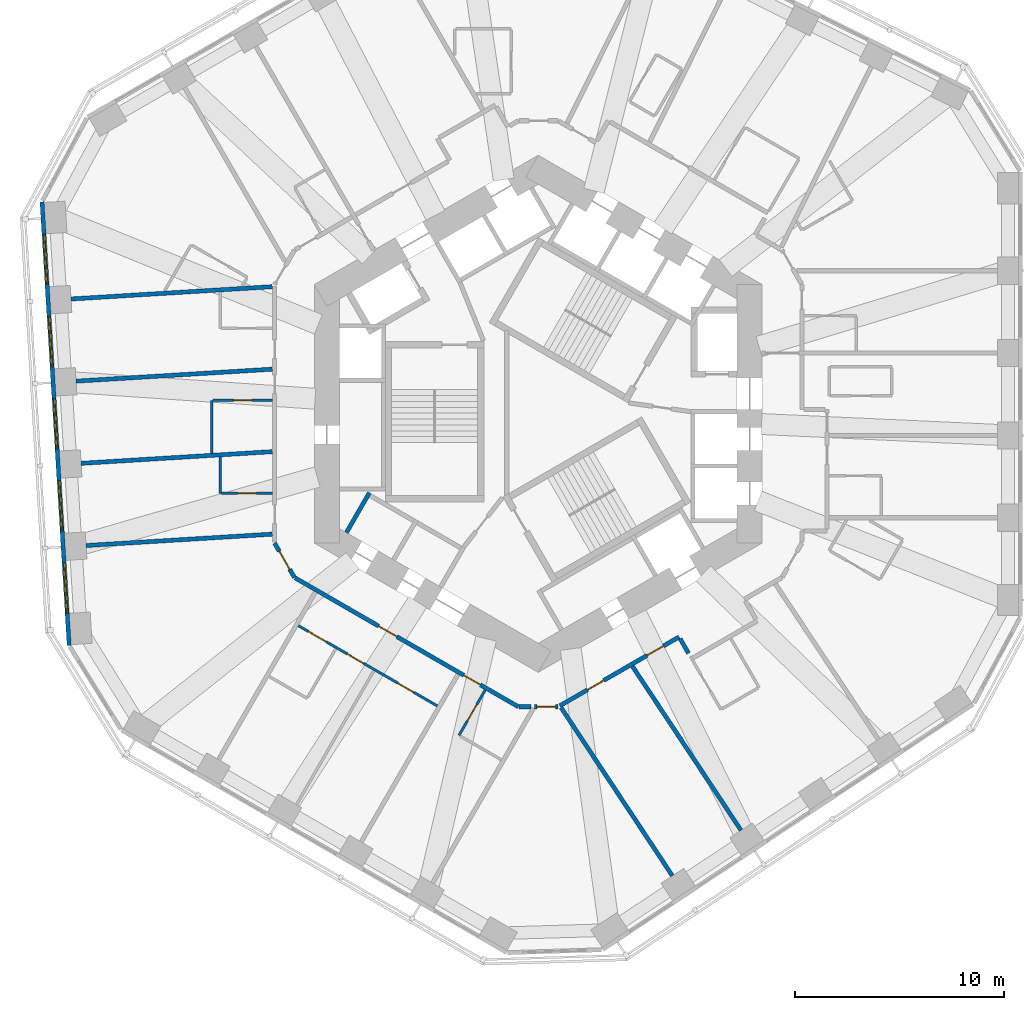
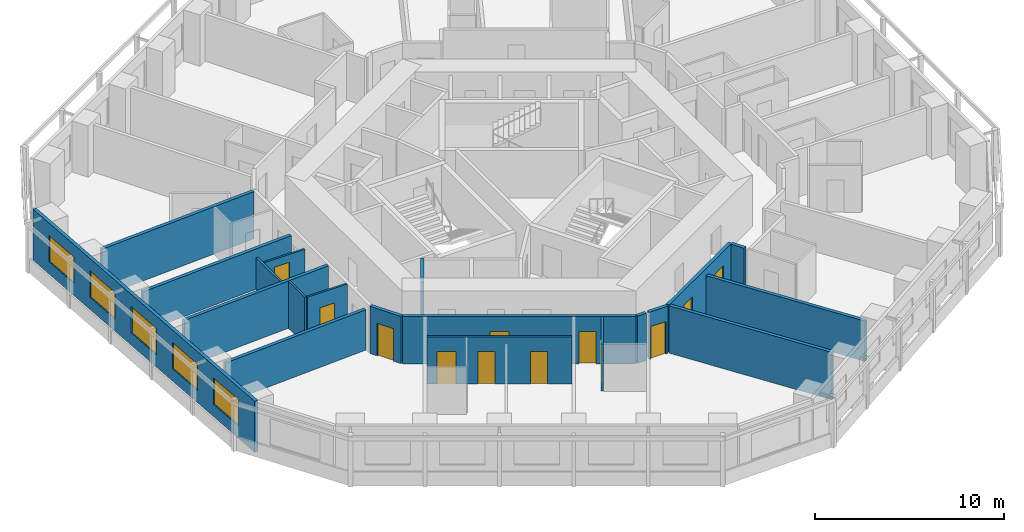
# One storey, part 4 of 12: 20 walls, 12 doors, 5 windows, 17 openings.
"""IFC4 building model written with IfcOpenShell, lengths in metres."""

from ifc_helpers import new_model, si_unit, direction, frame, frame_2d, origin, place, context, subcontext, project, spatial, rectangle, extrude, material, layer, layer_set, type_object, element, fill, save


model = new_model("IFC4")

# Units and contexts
model_context = context("Model", 3, precision=1e-05, world=origin(), true_north=direction((0.0, 1.0)))
body_context = subcontext(model_context, "Body", "Model", "MODEL_VIEW")
ifc_project = project(units=[si_unit("LENGTHUNIT", "METRE"), si_unit("AREAUNIT", "SQUARE_METRE"), si_unit("VOLUMEUNIT", "CUBIC_METRE"), si_unit("PLANEANGLEUNIT", "RADIAN"), si_unit("MASSUNIT", "GRAM", prefix="KILO")], contexts=[model_context])

# Site, building, storey
site_placement = place(None, origin())
site = spatial("IfcSite", under=ifc_project, at=site_placement, CompositionType="ELEMENT")
building_placement = place(site_placement, origin())
building = spatial("IfcBuilding", under=site, at=building_placement, Name="Vanh Sen Convention Tower", CompositionType="ELEMENT")
storey_placement = place(building_placement, frame((0.0, 0.0, 53.89990234375)))
storey = spatial("IfcBuildingStorey", under=building, at=storey_placement, Name="L10", CompositionType="ELEMENT", Elevation=53.89990234375)

# Wall
ifc_material_1 = material(Name="Moisture-resistant gypsum board on steel studs", Category="steel")
ifc_layer_1 = layer(ifc_material_1, 0.1201171875)
ifc_layer_set_1 = layer_set([ifc_layer_1], Name="Moisture-resistant gypsum board on steel studs")
wall_type_1 = type_object("IfcWallType", Name="Bathroom partition 120", PredefinedType="PARTITIONING", material=ifc_layer_set_1)
wall_1_placement = place(storey_placement, frame((-15.60009765625, -1.885986328125, 0.0), z_axis=(0.0, 0.0, 1.0), x_axis=(0.0, 1.0, 0.0)))
element("IfcWall", 1, at=wall_1_placement, inside=storey, type_object=wall_type_1, Name="Bathroom partition 120", PredefinedType="PARTITIONING", context=body_context, shape_type="SweptSolid", body=[
    extrude(rectangle(XDim=2.525390625, YDim=0.1201171875, at=frame_2d((1.2626953125, 0.0))), origin(), (0.0, 0.0, 1.0), 3.050048828125),
])

# Wall, opening, door
wall_2_placement = place(storey_placement, frame((-15.5400390625, 0.639404296875, 0.0), z_axis=(0.0, 0.0, 1.0), x_axis=(1.0, 0.0, 0.0)))
wall_2 = element("IfcWall", 2, at=wall_2_placement, inside=storey, type_object=wall_type_1, Name="Bathroom partition 120", PredefinedType="PARTITIONING", context=body_context, shape_type="SweptSolid", body=[
    extrude(rectangle(XDim=2.840087890625, YDim=0.1201171875, at=frame_2d((1.419921875, 0.0))), origin(), (0.0, 0.0, 1.0), 2.60009765625),
])
opening_1_placement = place(wall_2_placement, frame((0.969970703125, 0.0, 0.0)))
opening_1 = element("IfcOpeningElement", 3, at=opening_1_placement, cuts=wall_2, Name="Opening D10123", PredefinedType="OPENING", context=body_context, shape_type="SweptSolid", body=[
    extrude(rectangle(XDim=0.89990234375, YDim=2.10009765625, at=frame_2d((0.449951171875, 1.050048828125))), frame((0.0, 0.070068359375, 0.0), z_axis=(0.0, -1.0, 0.0), x_axis=(1.0, 0.0, 0.0)), (0.0, 0.0, 1.0), 0.14013671875),
])
ifc_material_2 = material(Name="Laminate door in steel frame", Category="steel")
door_type_1 = type_object("IfcDoorType", Name="En-suite door 900", OperationType="SINGLE_SWING_LEFT", PredefinedType="DOOR", material=ifc_material_2)
door_1_placement = place(opening_1_placement, origin())
door_1 = element("IfcDoor", 4, at=door_1_placement, inside=storey, type_object=door_type_1, Name="En-suite door D10123", OperationType="SINGLE_SWING_LEFT", OverallHeight=2.10009765625, OverallWidth=0.89990234375, PredefinedType="DOOR", context=body_context, shape_type="SweptSolid", body=[
    extrude(rectangle(XDim=0.89990234375, YDim=2.10009765625, at=frame_2d((0.449951171875, 1.050048828125))), frame((0.0, 0.02490234375, 0.0), z_axis=(0.0, -1.0, 0.0), x_axis=(1.0, 0.0, 0.0)), (0.0, 0.0, 1.0), 0.050048828125),
])
fill(opening_1, door_1)

# Wall
wall_3_placement = place(storey_placement, frame((-15.199951171875, -3.802734375, 0.0), z_axis=(0.0, 0.0, 1.0), x_axis=(0.0, 1.0, 0.0)))
element("IfcWall", 5, at=wall_3_placement, inside=storey, type_object=wall_type_1, Name="Bathroom partition 120", PredefinedType="PARTITIONING", context=body_context, shape_type="SweptSolid", body=[
    extrude(rectangle(XDim=1.740966796875, YDim=0.1201171875, at=frame_2d((0.87060546875, 0.0))), origin(), (0.0, 0.0, 1.0), 3.050048828125),
])

# Wall, opening, door
wall_4_placement = place(storey_placement, frame((-12.699951171875, -3.802734375, 0.0), z_axis=(0.0, 0.0, 1.0), x_axis=(-1.0, 0.0, 0.0)))
wall_4 = element("IfcWall", 6, at=wall_4_placement, inside=storey, type_object=wall_type_1, Name="Bathroom partition 120", PredefinedType="PARTITIONING", context=body_context, shape_type="SweptSolid", body=[
    extrude(rectangle(XDim=2.43994140625, YDim=0.1201171875, at=frame_2d((1.219970703125, 0.0))), origin(), (0.0, 0.0, 1.0), 3.050048828125),
])
opening_2_placement = place(wall_4_placement, frame((0.77001953125, 0.0, 0.0)))
opening_2 = element("IfcOpeningElement", 7, at=opening_2_placement, cuts=wall_4, Name="Opening D10125", PredefinedType="OPENING", context=body_context, shape_type="SweptSolid", body=[
    extrude(rectangle(XDim=0.89990234375, YDim=2.10009765625, at=frame_2d((0.449951171875, 1.050048828125))), frame((0.0, 0.070068359375, 0.0), z_axis=(0.0, -1.0, 0.0), x_axis=(1.0, 0.0, 0.0)), (0.0, 0.0, 1.0), 0.14013671875),
])
door_2_placement = place(opening_2_placement, origin())
door_2 = element("IfcDoor", 8, at=door_2_placement, inside=storey, type_object=door_type_1, Name="En-suite door D10125", OperationType="SINGLE_SWING_LEFT", OverallHeight=2.10009765625, OverallWidth=0.89990234375, PredefinedType="DOOR", context=body_context, shape_type="SweptSolid", body=[
    extrude(rectangle(XDim=0.89990234375, YDim=2.10009765625, at=frame_2d((0.449951171875, 1.050048828125))), frame((0.0, 0.02490234375, 0.0), z_axis=(0.0, -1.0, 0.0), x_axis=(1.0, 0.0, 0.0)), (0.0, 0.0, 1.0), 0.050048828125),
])
fill(opening_2, door_2)

# Wall, openings, doors
wall_5_placement = place(storey_placement, frame((-11.462890625, -10.125, 0.0), z_axis=(0.0, 0.0, 1.0), x_axis=(0.866014882148, -0.500018223566, 0.0)))
wall_5 = element("IfcWall", 9, at=wall_5_placement, inside=storey, type_object=wall_type_1, Name="Bathroom partition 120", PredefinedType="PARTITIONING", context=body_context, shape_type="SweptSolid", body=[
    extrude(rectangle(XDim=7.669189453125, YDim=0.1201171875, at=frame_2d((3.83447265625, 0.0))), origin(), (0.0, 0.0, 1.0), 3.050048828125),
])
opening_3_placement = place(wall_5_placement, frame((0.550048828125, 0.0, 0.0)))
opening_3 = element("IfcOpeningElement", 10, at=opening_3_placement, cuts=wall_5, Name="Opening D10128", PredefinedType="OPENING", context=body_context, shape_type="SweptSolid", body=[
    extrude(rectangle(XDim=1.0, YDim=2.10009765625, at=frame_2d((0.5, 1.050048828125))), frame((0.0, 0.070068359375, 0.0), z_axis=(0.0, -1.0, 0.0), x_axis=(1.0, 0.0, 0.0)), (0.0, 0.0, 1.0), 0.14013671875),
])
opening_4_placement = place(wall_5_placement, frame((2.7001953125, 0.0, 0.0)))
opening_4 = element("IfcOpeningElement", 11, at=opening_4_placement, cuts=wall_5, Name="Opening D10129", PredefinedType="OPENING", context=body_context, shape_type="SweptSolid", body=[
    extrude(rectangle(XDim=0.89990234375, YDim=2.10009765625, at=frame_2d((0.449951171875, 1.050048828125))), frame((0.0, 0.070068359375, 0.0), z_axis=(0.0, -1.0, 0.0), x_axis=(1.0, 0.0, 0.0)), (0.0, 0.0, 1.0), 0.14013671875),
])
opening_5_placement = place(wall_5_placement, frame((5.484619140625, 0.0, 0.0)))
opening_5 = element("IfcOpeningElement", 12, at=opening_5_placement, cuts=wall_5, Name="Opening D10130", PredefinedType="OPENING", context=body_context, shape_type="SweptSolid", body=[
    extrude(rectangle(XDim=0.89990234375, YDim=2.10009765625, at=frame_2d((0.449951171875, 1.050048828125))), frame((0.0, 0.070068359375, 0.0), z_axis=(0.0, -1.0, 0.0), x_axis=(1.0, 0.0, 0.0)), (0.0, 0.0, 1.0), 0.14013671875),
])
door_type_2 = type_object("IfcDoorType", Name="Accessible WC door 1000", OperationType="SINGLE_SWING_LEFT", PredefinedType="DOOR", material=ifc_material_2)
door_3_placement = place(opening_3_placement, origin())
door_3 = element("IfcDoor", 13, at=door_3_placement, inside=storey, type_object=door_type_2, Name="Accessible WC door D10128", OperationType="SINGLE_SWING_LEFT", OverallHeight=2.10009765625, OverallWidth=1.0, PredefinedType="DOOR", context=body_context, shape_type="SweptSolid", body=[
    extrude(rectangle(XDim=1.0, YDim=2.10009765625, at=frame_2d((0.5, 1.050048828125))), frame((0.0, 0.02490234375, 0.0), z_axis=(0.0, -1.0, 0.0), x_axis=(1.0, 0.0, 0.0)), (0.0, 0.0, 1.0), 0.050048828125),
])
fill(opening_3, door_3)
door_type_3 = type_object("IfcDoorType", Name="Room internal door 900", OperationType="SINGLE_SWING_LEFT", PredefinedType="DOOR", material=ifc_material_2)
door_4_placement = place(opening_4_placement, origin())
door_4 = element("IfcDoor", 14, at=door_4_placement, inside=storey, type_object=door_type_3, Name="Internal room door D10129", OperationType="SINGLE_SWING_LEFT", OverallHeight=2.10009765625, OverallWidth=0.89990234375, PredefinedType="DOOR", context=body_context, shape_type="SweptSolid", body=[
    extrude(rectangle(XDim=0.89990234375, YDim=2.10009765625, at=frame_2d((0.449951171875, 1.050048828125))), frame((0.0, 0.02490234375, 0.0), z_axis=(0.0, -1.0, 0.0), x_axis=(1.0, 0.0, 0.0)), (0.0, 0.0, 1.0), 0.050048828125),
])
fill(opening_4, door_4)
door_5_placement = place(opening_5_placement, origin())
door_5 = element("IfcDoor", 15, at=door_5_placement, inside=storey, type_object=door_type_3, Name="Internal room door D10130", OperationType="SINGLE_SWING_LEFT", OverallHeight=2.10009765625, OverallWidth=0.89990234375, PredefinedType="DOOR", context=body_context, shape_type="SweptSolid", body=[
    extrude(rectangle(XDim=0.89990234375, YDim=2.10009765625, at=frame_2d((0.449951171875, 1.050048828125))), frame((0.0, 0.02490234375, 0.0), z_axis=(0.0, -1.0, 0.0), x_axis=(1.0, 0.0, 0.0)), (0.0, 0.0, 1.0), 0.050048828125),
])
fill(opening_5, door_5)

# Wall, opening, door
wall_6_placement = place(storey_placement, frame((-3.78564453125, -15.36572265625, 0.0), z_axis=(0.0, 0.0, 1.0), x_axis=(0.500004234368, 0.866022959057, 0.0)))
wall_6 = element("IfcWall", 16, at=wall_6_placement, inside=storey, type_object=wall_type_1, Name="Bathroom partition 120", PredefinedType="PARTITIONING", context=body_context, shape_type="SweptSolid", body=[
    extrude(rectangle(XDim=2.5, YDim=0.1201171875, at=frame_2d((1.25, 0.0))), origin(), (0.0, 0.0, 1.0), 3.050048828125),
])
opening_6_placement = place(wall_6_placement, frame((0.800048828125, 0.0, 0.0)))
opening_6 = element("IfcOpeningElement", 17, at=opening_6_placement, cuts=wall_6, Name="Opening D10132", PredefinedType="OPENING", context=body_context, shape_type="SweptSolid", body=[
    extrude(rectangle(XDim=0.89990234375, YDim=2.10009765625, at=frame_2d((0.449951171875, 1.050048828125))), frame((0.0, 0.070068359375, 0.0), z_axis=(0.0, -1.0, 0.0), x_axis=(1.0, 0.0, 0.0)), (0.0, 0.0, 1.0), 0.14013671875),
])
door_6_placement = place(opening_6_placement, origin())
door_6 = element("IfcDoor", 18, at=door_6_placement, inside=storey, type_object=door_type_1, Name="En-suite door D10132", OperationType="SINGLE_SWING_LEFT", OverallHeight=2.10009765625, OverallWidth=0.89990234375, PredefinedType="DOOR", context=body_context, shape_type="SweptSolid", body=[
    extrude(rectangle(XDim=0.89990234375, YDim=2.10009765625, at=frame_2d((0.449951171875, 1.050048828125))), frame((0.0, 0.02490234375, 0.0), z_axis=(0.0, -1.0, 0.0), x_axis=(1.0, 0.0, 0.0)), (0.0, 0.0, 1.0), 0.050048828125),
])
fill(opening_6, door_6)

ifc_material_3 = material(Name="Gypsum board on steel studs with mineral wool", Category="steel")
ifc_layer_2 = layer(ifc_material_3, 0.199951171875)
ifc_layer_set_2 = layer_set([ifc_layer_2], Name="Gypsum board on steel studs with mineral wool")
wall_type_2 = type_object("IfcWallType", Name="Corridor partition wall 200", PredefinedType="PARTITIONING", material=ifc_layer_set_2)
wall_7_placement = place(storey_placement, frame((-12.60009765625, -6.177490234375, 0.0), z_axis=(0.0, 0.0, 1.0), x_axis=(0.500063520245, -0.865988727248, 0.0)))
wall_7 = element("IfcWall", 19, at=wall_7_placement, inside=storey, type_object=wall_type_2, Name="Corridor partition wall 200", PredefinedType="PARTITIONING", context=body_context, shape_type="SweptSolid", body=[
    extrude(rectangle(XDim=1.900146484375, YDim=0.199951171875, at=frame_2d((0.9501953125, 0.0))), origin(), (0.0, 0.0, 1.0), 3.050048828125),
])
opening_7_placement = place(wall_7_placement, frame((0.449951171875, 0.0, 0.0)))
opening_7 = element("IfcOpeningElement", 20, at=opening_7_placement, cuts=wall_7, Name="Opening D10126", PredefinedType="OPENING", context=body_context, shape_type="SweptSolid", body=[
    extrude(rectangle(XDim=1.0, YDim=2.10009765625, at=frame_2d((0.5, 1.050048828125))), frame((0.0, 0.10986328125, 0.0), z_axis=(0.0, -1.0, 0.0), x_axis=(1.0, 0.0, 0.0)), (0.0, 0.0, 1.0), 0.219970703125),
])
ifc_material_4 = material(Name="Timber fire door in steel frame", Category="steel")
door_type_4 = type_object("IfcDoorType", Name="Floor room door 1000", OperationType="SINGLE_SWING_LEFT", PredefinedType="DOOR", material=ifc_material_4)
door_7_placement = place(opening_7_placement, origin())
door_7 = element("IfcDoor", 21, at=door_7_placement, inside=storey, type_object=door_type_4, Name="Meeting and amenity room door D10126", OperationType="SINGLE_SWING_LEFT", OverallHeight=2.10009765625, OverallWidth=1.0, PredefinedType="DOOR", context=body_context, shape_type="SweptSolid", body=[
    extrude(rectangle(XDim=1.0, YDim=2.10009765625, at=frame_2d((0.5, 1.050048828125))), frame((0.0, 0.02490234375, 0.0), z_axis=(0.0, -1.0, 0.0), x_axis=(1.0, 0.0, 0.0)), (0.0, 0.0, 1.0), 0.050048828125),
])
fill(opening_7, door_7)

# Wall, openings, doors
wall_8_placement = place(storey_placement, frame((-11.615478515625, -7.843017578125, 0.0), z_axis=(0.0, 0.0, 1.0), x_axis=(0.866026466995, -0.499998158461, 0.0)))
wall_8 = element("IfcWall", 22, at=wall_8_placement, inside=storey, type_object=wall_type_2, Name="Corridor partition wall 200", PredefinedType="PARTITIONING", context=body_context, shape_type="SweptSolid", body=[
    extrude(rectangle(XDim=12.3154296875, YDim=0.199951171875, at=frame_2d((6.15771484375, 0.0))), origin(), (0.0, 0.0, 1.0), 3.050048828125),
])
opening_8_placement = place(wall_8_placement, frame((4.607666015625, 0.0, 0.0)))
opening_8 = element("IfcOpeningElement", 23, at=opening_8_placement, cuts=wall_8, Name="Opening D10127", PredefinedType="OPENING", context=body_context, shape_type="SweptSolid", body=[
    extrude(rectangle(XDim=1.0, YDim=2.10009765625, at=frame_2d((0.5, 1.050048828125))), frame((0.0, 0.10986328125, 0.0), z_axis=(0.0, -1.0, 0.0), x_axis=(1.0, 0.0, 0.0)), (0.0, 0.0, 1.0), 0.219970703125),
])
opening_9_placement = place(wall_8_placement, frame((9.317138671875, 0.0, 0.0)))
opening_9 = element("IfcOpeningElement", 24, at=opening_9_placement, cuts=wall_8, Name="Opening D10131", PredefinedType="OPENING", context=body_context, shape_type="SweptSolid", body=[
    extrude(rectangle(XDim=0.89990234375, YDim=2.10009765625, at=frame_2d((0.449951171875, 1.050048828125))), frame((0.0, 0.10986328125, 0.0), z_axis=(0.0, -1.0, 0.0), x_axis=(1.0, 0.0, 0.0)), (0.0, 0.0, 1.0), 0.219970703125),
])
door_8_placement = place(opening_8_placement, origin())
door_8 = element("IfcDoor", 25, at=door_8_placement, inside=storey, type_object=door_type_4, Name="Meeting and amenity room door D10127", OperationType="SINGLE_SWING_LEFT", OverallHeight=2.10009765625, OverallWidth=1.0, PredefinedType="DOOR", context=body_context, shape_type="SweptSolid", body=[
    extrude(rectangle(XDim=1.0, YDim=2.10009765625, at=frame_2d((0.5, 1.050048828125))), frame((0.0, 0.02490234375, 0.0), z_axis=(0.0, -1.0, 0.0), x_axis=(1.0, 0.0, 0.0)), (0.0, 0.0, 1.0), 0.050048828125),
])
fill(opening_8, door_8)
door_type_5 = type_object("IfcDoorType", Name="Guest room door 900", OperationType="SINGLE_SWING_LEFT", PredefinedType="DOOR", material=ifc_material_4)
door_9_placement = place(opening_9_placement, origin())
door_9 = element("IfcDoor", 26, at=door_9_placement, inside=storey, type_object=door_type_5, Name="Hotel guest room door D10131", OperationType="SINGLE_SWING_LEFT", OverallHeight=2.10009765625, OverallWidth=0.89990234375, PredefinedType="DOOR", context=body_context, shape_type="SweptSolid", body=[
    extrude(rectangle(XDim=0.89990234375, YDim=2.10009765625, at=frame_2d((0.449951171875, 1.050048828125))), frame((0.0, 0.02490234375, 0.0), z_axis=(0.0, -1.0, 0.0), x_axis=(1.0, 0.0, 0.0)), (0.0, 0.0, 1.0), 0.050048828125),
])
fill(opening_9, door_9)

# Wall
wall_9_placement = place(storey_placement, frame((-0.909912109375, -14.000732421875, 0.0), z_axis=(0.0, 0.0, 1.0), x_axis=(1.0, 0.0, 0.0)))
element("IfcWall", 27, at=wall_9_placement, inside=storey, type_object=wall_type_2, Name="Corridor partition wall 200", PredefinedType="PARTITIONING", context=body_context, shape_type="SweptSolid", body=[
    extrude(rectangle(XDim=0.559814453125, YDim=0.199951171875, at=frame_2d((0.27978515625, 0.0))), origin(), (0.0, 0.0, 1.0), 3.050048828125),
])

# Wall, opening, door
wall_10_placement = place(storey_placement, frame((-0.186279296875, -14.000732421875, 0.0), z_axis=(0.0, 0.0, 1.0), x_axis=(1.0, 0.0, 0.0)))
wall_10 = element("IfcWall", 28, at=wall_10_placement, inside=storey, type_object=wall_type_2, Name="Corridor partition wall 200", PredefinedType="PARTITIONING", context=body_context, shape_type="SweptSolid", body=[
    extrude(rectangle(XDim=1.13623046875, YDim=0.199951171875, at=frame_2d((0.568115234375, 0.0))), origin(), (0.0, 0.0, 1.0), 3.050048828125),
])
opening_10_placement = place(wall_10_placement, frame((0.1181640625, 0.0, 0.0)))
opening_10 = element("IfcOpeningElement", 29, at=opening_10_placement, cuts=wall_10, Name="Opening D10133", PredefinedType="OPENING", context=body_context, shape_type="SweptSolid", body=[
    extrude(rectangle(XDim=0.89990234375, YDim=2.10009765625, at=frame_2d((0.449951171875, 1.050048828125))), frame((0.0, 0.10986328125, 0.0), z_axis=(0.0, -1.0, 0.0), x_axis=(1.0, 0.0, 0.0)), (0.0, 0.0, 1.0), 0.219970703125),
])
door_type_6 = type_object("IfcDoorType", Name="Floor room door 900", OperationType="SINGLE_SWING_LEFT", PredefinedType="DOOR", material=ifc_material_4)
door_10_placement = place(opening_10_placement, origin())
door_10 = element("IfcDoor", 30, at=door_10_placement, inside=storey, type_object=door_type_6, Name="Meeting and amenity room door D10133", OperationType="SINGLE_SWING_LEFT", OverallHeight=2.10009765625, OverallWidth=0.89990234375, PredefinedType="DOOR", context=body_context, shape_type="SweptSolid", body=[
    extrude(rectangle(XDim=0.89990234375, YDim=2.10009765625, at=frame_2d((0.449951171875, 1.050048828125))), frame((0.0, 0.02490234375, 0.0), z_axis=(0.0, -1.0, 0.0), x_axis=(1.0, 0.0, 0.0)), (0.0, 0.0, 1.0), 0.050048828125),
])
fill(opening_10, door_10)

# Wall, openings, doors
wall_11_placement = place(storey_placement, frame((1.033447265625, -13.95263671875, 0.0), z_axis=(0.0, 0.0, 1.0), x_axis=(0.866017531406, 0.500013635111, 0.0)))
wall_11 = element("IfcWall", 31, at=wall_11_placement, inside=storey, type_object=wall_type_2, Name="Corridor partition wall 200", PredefinedType="PARTITIONING", context=body_context, shape_type="SweptSolid", body=[
    extrude(rectangle(XDim=6.580322265625, YDim=0.199951171875, at=frame_2d((3.2900390625, 0.0))), origin(), (0.0, 0.0, 1.0), 3.050048828125),
])
opening_11_placement = place(wall_11_placement, frame((1.52099609375, 0.0, 0.0)))
opening_11 = element("IfcOpeningElement", 32, at=opening_11_placement, cuts=wall_11, Name="Opening D10134", PredefinedType="OPENING", context=body_context, shape_type="SweptSolid", body=[
    extrude(rectangle(XDim=0.89990234375, YDim=2.10009765625, at=frame_2d((0.449951171875, 1.050048828125))), frame((0.0, 0.10986328125, 0.0), z_axis=(0.0, -1.0, 0.0), x_axis=(1.0, 0.0, 0.0)), (0.0, 0.0, 1.0), 0.219970703125),
])
opening_12_placement = place(wall_11_placement, frame((4.81103515625, 0.0, 0.0)))
opening_12 = element("IfcOpeningElement", 33, at=opening_12_placement, cuts=wall_11, Name="Opening D10135", PredefinedType="OPENING", context=body_context, shape_type="SweptSolid", body=[
    extrude(rectangle(XDim=0.89990234375, YDim=2.10009765625, at=frame_2d((0.449951171875, 1.050048828125))), frame((0.0, 0.10986328125, 0.0), z_axis=(0.0, -1.0, 0.0), x_axis=(1.0, 0.0, 0.0)), (0.0, 0.0, 1.0), 0.219970703125),
])
door_type_7 = type_object("IfcDoorType", Name="Floor service door 900", OperationType="SINGLE_SWING_LEFT", PredefinedType="DOOR", material=ifc_material_4)
door_11_placement = place(opening_11_placement, origin())
door_11 = element("IfcDoor", 34, at=door_11_placement, inside=storey, type_object=door_type_7, Name="Service room door D10134", OperationType="SINGLE_SWING_LEFT", OverallHeight=2.10009765625, OverallWidth=0.89990234375, PredefinedType="DOOR", context=body_context, shape_type="SweptSolid", body=[
    extrude(rectangle(XDim=0.89990234375, YDim=2.10009765625, at=frame_2d((0.449951171875, 1.050048828125))), frame((0.0, 0.02490234375, 0.0), z_axis=(0.0, -1.0, 0.0), x_axis=(1.0, 0.0, 0.0)), (0.0, 0.0, 1.0), 0.050048828125),
])
fill(opening_11, door_11)
door_12_placement = place(opening_12_placement, origin())
door_12 = element("IfcDoor", 35, at=door_12_placement, inside=storey, type_object=door_type_5, Name="Hotel guest room door D10135", OperationType="SINGLE_SWING_LEFT", OverallHeight=2.10009765625, OverallWidth=0.89990234375, PredefinedType="DOOR", context=body_context, shape_type="SweptSolid", body=[
    extrude(rectangle(XDim=0.89990234375, YDim=2.10009765625, at=frame_2d((0.449951171875, 1.050048828125))), frame((0.0, 0.02490234375, 0.0), z_axis=(0.0, -1.0, 0.0), x_axis=(1.0, 0.0, 0.0)), (0.0, 0.0, 1.0), 0.050048828125),
])
fill(opening_12, door_12)

# Wall
wall_12_placement = place(storey_placement, frame((6.781982421875, -10.7490234375, 0.0), z_axis=(0.0, 0.0, 1.0), x_axis=(0.500170954823, -0.865926680471, 0.0)))
element("IfcWall", 36, at=wall_12_placement, inside=storey, type_object=wall_type_2, Name="Corridor partition wall 200", PredefinedType="PARTITIONING", context=body_context, shape_type="SweptSolid", body=[
    extrude(rectangle(XDim=0.801025390625, YDim=0.199951171875, at=frame_2d((0.400390625, 0.0))), origin(), (0.0, 0.0, 1.0), 3.050048828125),
])

# Wall, openings, windows
ifc_material_5 = material(Name="Insulated lightweight infill wall")
ifc_layer_3 = layer(ifc_material_5, 0.199951171875)
ifc_layer_set_3 = layer_set([ifc_layer_3], Name="Insulated lightweight infill wall")
wall_type_3 = type_object("IfcWallType", Name="External wall 200", PredefinedType="STANDARD", material=ifc_layer_set_3)
wall_13_placement = place(storey_placement, frame((-23.712646484375, 10.130859375, 0.0), z_axis=(0.0, 0.0, 1.0), x_axis=(0.061040439785, -0.998135293791, 0.0)))
wall_13 = element("IfcWall", 37, at=wall_13_placement, inside=storey, type_object=wall_type_3, Name="External wall W L10", PredefinedType="STANDARD", context=body_context, shape_type="SweptSolid", body=[
    extrude(rectangle(XDim=21.24609375, YDim=0.199951171875, at=frame_2d((10.623046875, 0.0))), origin(), (0.0, 0.0, 1.0), 3.300048828125),
])
opening_13_placement = place(wall_13_placement, frame((1.552978515625, 0.0, 0.800048828125)))
opening_13 = element("IfcOpeningElement", 38, at=opening_13_placement, cuts=wall_13, Name="Opening WH1-W1", PredefinedType="OPENING", context=body_context, shape_type="SweptSolid", body=[
    extrude(rectangle(XDim=2.39990234375, YDim=1.699951171875, at=frame_2d((1.199951171875, 0.85009765625))), frame((0.0, 0.10986328125, 0.0), z_axis=(0.0, -1.0, 0.0), x_axis=(1.0, 0.0, 0.0)), (0.0, 0.0, 1.0), 0.219970703125),
])
opening_14_placement = place(wall_13_placement, frame((5.48779296875, 0.0, 0.800048828125)))
opening_14 = element("IfcOpeningElement", 39, at=opening_14_placement, cuts=wall_13, Name="Opening WH1-W2", PredefinedType="OPENING", context=body_context, shape_type="SweptSolid", body=[
    extrude(rectangle(XDim=2.39990234375, YDim=1.699951171875, at=frame_2d((1.199951171875, 0.85009765625))), frame((0.0, 0.10986328125, 0.0), z_axis=(0.0, -1.0, 0.0), x_axis=(1.0, 0.0, 0.0)), (0.0, 0.0, 1.0), 0.219970703125),
])
opening_15_placement = place(wall_13_placement, frame((9.42236328125, 0.0, 0.800048828125)))
opening_15 = element("IfcOpeningElement", 40, at=opening_15_placement, cuts=wall_13, Name="Opening WH1-W3", PredefinedType="OPENING", context=body_context, shape_type="SweptSolid", body=[
    extrude(rectangle(XDim=2.39990234375, YDim=1.699951171875, at=frame_2d((1.199951171875, 0.85009765625))), frame((0.0, 0.10986328125, 0.0), z_axis=(0.0, -1.0, 0.0), x_axis=(1.0, 0.0, 0.0)), (0.0, 0.0, 1.0), 0.219970703125),
])
opening_16_placement = place(wall_13_placement, frame((13.35693359375, 0.0, 0.800048828125)))
opening_16 = element("IfcOpeningElement", 41, at=opening_16_placement, cuts=wall_13, Name="Opening WH1-W4", PredefinedType="OPENING", context=body_context, shape_type="SweptSolid", body=[
    extrude(rectangle(XDim=2.39990234375, YDim=1.699951171875, at=frame_2d((1.199951171875, 0.85009765625))), frame((0.0, 0.10986328125, 0.0), z_axis=(0.0, -1.0, 0.0), x_axis=(1.0, 0.0, 0.0)), (0.0, 0.0, 1.0), 0.219970703125),
])
opening_17_placement = place(wall_13_placement, frame((17.29150390625, 0.0, 0.800048828125)))
opening_17 = element("IfcOpeningElement", 42, at=opening_17_placement, cuts=wall_13, Name="Opening WH1-W5", PredefinedType="OPENING", context=body_context, shape_type="SweptSolid", body=[
    extrude(rectangle(XDim=2.39990234375, YDim=1.699951171875, at=frame_2d((1.199951171875, 0.85009765625))), frame((0.0, 0.10986328125, 0.0), z_axis=(0.0, -1.0, 0.0), x_axis=(1.0, 0.0, 0.0)), (0.0, 0.0, 1.0), 0.219970703125),
])
ifc_material_6 = material(Name="Aluminium frame with clear low-emissivity glass", Category="aluminium")
window_type = type_object("IfcWindowType", Name="Hotel window 2400 x 1700", PartitioningType="SINGLE_PANEL", PredefinedType="WINDOW", material=ifc_material_6)
window_1_placement = place(opening_13_placement, origin())
window_1 = element("IfcWindow", 43, at=window_1_placement, inside=storey, type_object=window_type, Name="Window WH1-W1", OverallHeight=1.699951171875, OverallWidth=2.39990234375, PartitioningType="SINGLE_PANEL", PredefinedType="WINDOW", context=body_context, shape_type="SweptSolid", body=[
    extrude(rectangle(XDim=2.39990234375, YDim=1.699951171875, at=frame_2d((1.199951171875, 0.85009765625))), frame((0.0, 0.030029296875, 0.0), z_axis=(0.0, -1.0, 0.0), x_axis=(1.0, 0.0, 0.0)), (0.0, 0.0, 1.0), 0.06005859375),
])
fill(opening_13, window_1)
window_2_placement = place(opening_14_placement, origin())
window_2 = element("IfcWindow", 44, at=window_2_placement, inside=storey, type_object=window_type, Name="Window WH1-W2", OverallHeight=1.699951171875, OverallWidth=2.39990234375, PartitioningType="SINGLE_PANEL", PredefinedType="WINDOW", context=body_context, shape_type="SweptSolid", body=[
    extrude(rectangle(XDim=2.39990234375, YDim=1.699951171875, at=frame_2d((1.199951171875, 0.85009765625))), frame((0.0, 0.030029296875, 0.0), z_axis=(0.0, -1.0, 0.0), x_axis=(1.0, 0.0, 0.0)), (0.0, 0.0, 1.0), 0.06005859375),
])
fill(opening_14, window_2)
window_3_placement = place(opening_15_placement, origin())
window_3 = element("IfcWindow", 45, at=window_3_placement, inside=storey, type_object=window_type, Name="Window WH1-W3", OverallHeight=1.699951171875, OverallWidth=2.39990234375, PartitioningType="SINGLE_PANEL", PredefinedType="WINDOW", context=body_context, shape_type="SweptSolid", body=[
    extrude(rectangle(XDim=2.39990234375, YDim=1.699951171875, at=frame_2d((1.199951171875, 0.85009765625))), frame((0.0, 0.030029296875, 0.0), z_axis=(0.0, -1.0, 0.0), x_axis=(1.0, 0.0, 0.0)), (0.0, 0.0, 1.0), 0.06005859375),
])
fill(opening_15, window_3)
window_4_placement = place(opening_16_placement, origin())
window_4 = element("IfcWindow", 46, at=window_4_placement, inside=storey, type_object=window_type, Name="Window WH1-W4", OverallHeight=1.699951171875, OverallWidth=2.39990234375, PartitioningType="SINGLE_PANEL", PredefinedType="WINDOW", context=body_context, shape_type="SweptSolid", body=[
    extrude(rectangle(XDim=2.39990234375, YDim=1.699951171875, at=frame_2d((1.199951171875, 0.85009765625))), frame((0.0, 0.030029296875, 0.0), z_axis=(0.0, -1.0, 0.0), x_axis=(1.0, 0.0, 0.0)), (0.0, 0.0, 1.0), 0.06005859375),
])
fill(opening_16, window_4)
window_5_placement = place(opening_17_placement, origin())
window_5 = element("IfcWindow", 47, at=window_5_placement, inside=storey, type_object=window_type, Name="Window WH1-W5", OverallHeight=1.699951171875, OverallWidth=2.39990234375, PartitioningType="SINGLE_PANEL", PredefinedType="WINDOW", context=body_context, shape_type="SweptSolid", body=[
    extrude(rectangle(XDim=2.39990234375, YDim=1.699951171875, at=frame_2d((1.199951171875, 0.85009765625))), frame((0.0, 0.030029296875, 0.0), z_axis=(0.0, -1.0, 0.0), x_axis=(1.0, 0.0, 0.0)), (0.0, 0.0, 1.0), 0.06005859375),
])
fill(opening_17, window_5)

# Walls
ifc_layer_4 = layer(ifc_material_3, 0.199951171875)
ifc_layer_set_4 = layer_set([ifc_layer_4], Name="Gypsum board on steel studs with mineral wool")
wall_type_4 = type_object("IfcWallType", Name="Hotel party wall 200", PredefinedType="PARTITIONING", material=ifc_layer_set_4)
wall_14_placement = place(storey_placement, frame((-22.32666015625, 5.486328125, 0.0), z_axis=(0.0, 0.0, 1.0), x_axis=(0.998135194863, 0.061042057435, 0.0)))
element("IfcWall", 48, at=wall_14_placement, inside=storey, type_object=wall_type_4, Name="Hotel party wall 200", PredefinedType="PARTITIONING", context=body_context, shape_type="SweptSolid", body=[
    extrude(rectangle(XDim=9.635009765625, YDim=0.199951171875, at=frame_2d((4.8173828125, 0.0))), origin(), (0.0, 0.0, 1.0), 3.050048828125),
])
wall_15_placement = place(storey_placement, frame((-22.08642578125, 1.55908203125, 0.0), z_axis=(0.0, 0.0, 1.0), x_axis=(0.99813491363, 0.061046655873, 0.0)))
element("IfcWall", 49, at=wall_15_placement, inside=storey, type_object=wall_type_4, Name="Hotel party wall 200", PredefinedType="PARTITIONING", context=body_context, shape_type="SweptSolid", body=[
    extrude(rectangle(XDim=9.394287109375, YDim=0.199951171875, at=frame_2d((4.697265625, 0.0))), origin(), (0.0, 0.0, 1.0), 2.60009765625),
])
wall_16_placement = place(storey_placement, frame((-21.84619140625, -2.3681640625, 0.0), z_axis=(0.0, 0.0, 1.0), x_axis=(0.998134617584, 0.061051496129, 0.0)))
element("IfcWall", 50, at=wall_16_placement, inside=storey, type_object=wall_type_4, Name="Hotel party wall 200", PredefinedType="PARTITIONING", context=body_context, shape_type="SweptSolid", body=[
    extrude(rectangle(XDim=9.153564453125, YDim=0.199951171875, at=frame_2d((4.57666015625, 0.0))), origin(), (0.0, 0.0, 1.0), 3.050048828125),
])
wall_17_placement = place(storey_placement, frame((-21.60595703125, -6.29541015625, 0.0), z_axis=(0.0, 0.0, 1.0), x_axis=(0.998134305525, 0.061056597794, 0.0)))
element("IfcWall", 51, at=wall_17_placement, inside=storey, type_object=wall_type_4, Name="Hotel party wall 200", PredefinedType="PARTITIONING", context=body_context, shape_type="SweptSolid", body=[
    extrude(rectangle(XDim=8.912841796875, YDim=0.199951171875, at=frame_2d((4.45654296875, 0.0))), origin(), (0.0, 0.0, 1.0), 2.60009765625),
])
wall_18_placement = place(storey_placement, frame((6.411865234375, -22.07861328125, 0.0), z_axis=(0.0, 0.0, 1.0), x_axis=(-0.551919507115, 0.83389739037, 0.0)))
element("IfcWall", 52, at=wall_18_placement, inside=storey, type_object=wall_type_4, Name="Hotel party wall 200", PredefinedType="PARTITIONING", context=body_context, shape_type="SweptSolid", body=[
    extrude(rectangle(XDim=9.634765625, YDim=0.199951171875, at=frame_2d((4.8173828125, 0.0))), origin(), (0.0, 0.0, 1.0), 3.050048828125),
])
wall_19_placement = place(storey_placement, frame((9.69287109375, -19.906982421875, 0.0), z_axis=(0.0, 0.0, 1.0), x_axis=(-0.551938394837, 0.833884889121, 0.0)))
element("IfcWall", 53, at=wall_19_placement, inside=storey, type_object=wall_type_4, Name="Hotel party wall 200", PredefinedType="PARTITIONING", context=body_context, shape_type="SweptSolid", body=[
    extrude(rectangle(XDim=9.394287109375, YDim=0.199951171875, at=frame_2d((4.697265625, 0.0))), origin(), (0.0, 0.0, 1.0), 2.60009765625),
])
ifc_material_7 = material(Name="Concrete C40/50", Category="concrete")
ifc_layer_5 = layer(ifc_material_7, 0.199951171875)
ifc_layer_set_5 = layer_set([ifc_layer_5], Name="Concrete C40/50")
wall_type_5 = type_object("IfcWallType", Name="Lift shaft wall 200", PredefinedType="PARTITIONING", material=ifc_layer_set_5)
wall_20_placement = place(storey_placement, frame((-8.066650390625, -3.77197265625, 0.0), z_axis=(0.0, 0.0, 1.0), x_axis=(-0.50002983664, -0.866008176907, 0.0)))
element("IfcWall", 54, at=wall_20_placement, inside=storey, type_object=wall_type_5, Name="Lift shaft wall L10", PredefinedType="PARTITIONING", context=body_context, shape_type="SweptSolid", body=[
    extrude(rectangle(XDim=2.199951171875, YDim=0.199951171875, at=frame_2d((1.10009765625, 0.0))), origin(), (0.0, 0.0, 1.0), 3.050048828125),
])

save(model, "model.ifc")
